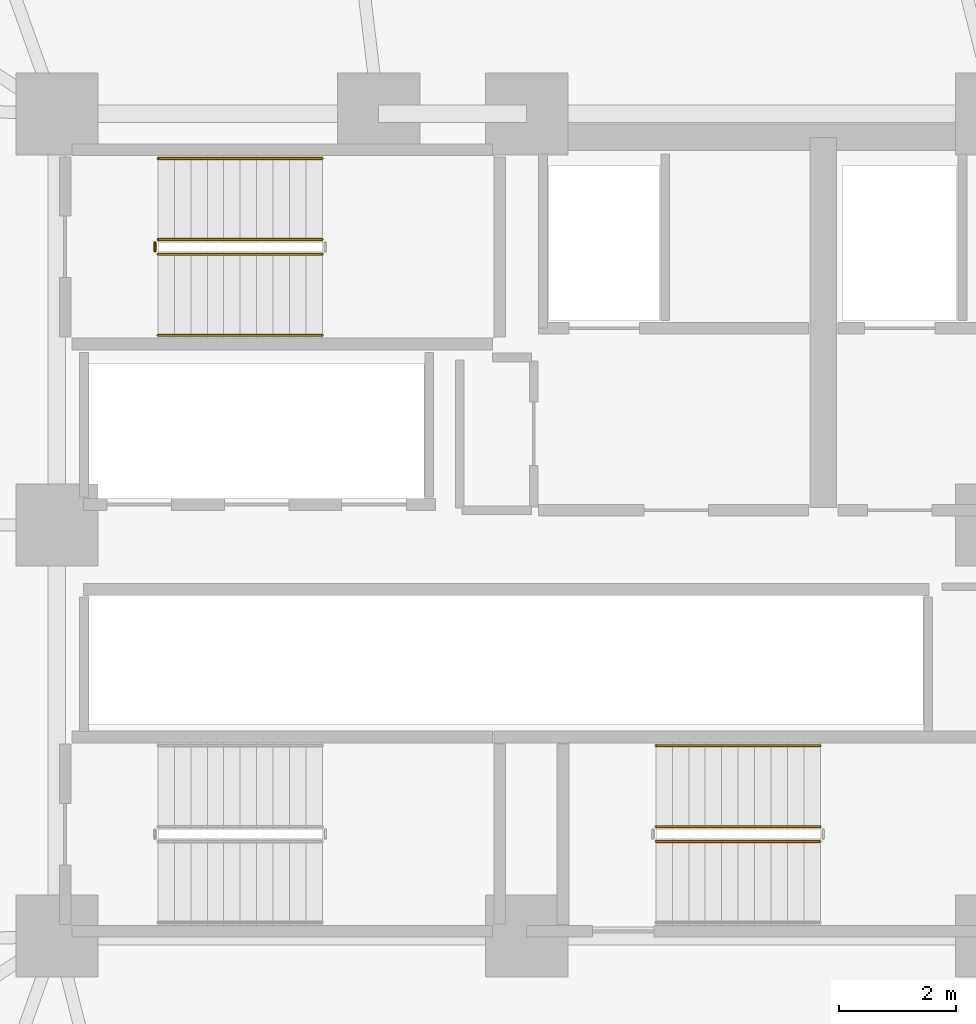
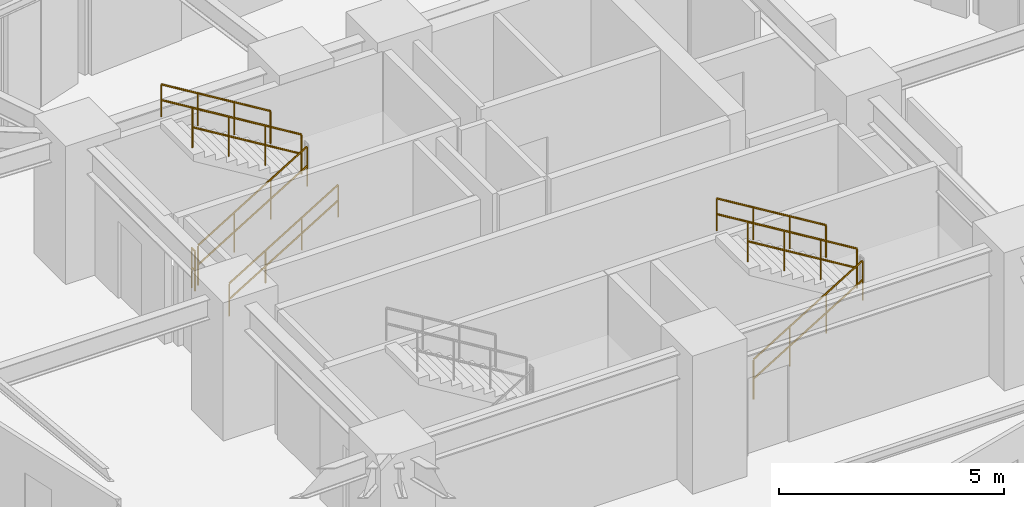
# One storey, part 31 of 33: 8 railings.
"""IFC4 building model written with IfcOpenShell, lengths in metres."""

from ifc_helpers import new_model, si_unit, direction, frame, origin, place, context, subcontext, project, spatial, polyline, outline, extrude, material, type_object, element, save


model = new_model("IFC4")

# Units and contexts
model_context = context("Model", 3, precision=1e-05, world=origin(), true_north=direction((0.0, 1.0)))
body_context = subcontext(model_context, "Body", "Model", "MODEL_VIEW")
ifc_project = project(units=[si_unit("LENGTHUNIT", "METRE"), si_unit("AREAUNIT", "SQUARE_METRE"), si_unit("VOLUMEUNIT", "CUBIC_METRE"), si_unit("PLANEANGLEUNIT", "RADIAN"), si_unit("MASSUNIT", "GRAM", prefix="KILO")], contexts=[model_context])

# Site, building, storey
site_placement = place(None, origin())
site = spatial("IfcSite", under=ifc_project, at=site_placement, CompositionType="ELEMENT")
building_placement = place(site_placement, origin())
building = spatial("IfcBuilding", under=site, at=building_placement, Name="Kelanora Arch Commons", CompositionType="ELEMENT")
storey_placement = place(building_placement, frame((0.0, 0.0, 83.85009765625)))
storey = spatial("IfcBuildingStorey", under=building, at=storey_placement, Name="L21", CompositionType="ELEMENT", Elevation=83.85009765625)

# Railings
ifc_material_1 = material(Name="Painted steel stair well guard", Category="steel")
railing_type_1 = type_object("IfcRailingType", Name="RAIL-STAIR-GRD", PredefinedType="GUARDRAIL", material=ifc_material_1)
railing_1_placement = place(storey_placement, frame((67.719970703125, 62.610107421875, 0.17041015625)))
element("IfcRailing", 1, at=railing_1_placement, inside=storey, type_object=railing_type_1, Name="L21 ST-T1 stair guard 1", PredefinedType="GUARDRAIL", context=body_context, shape_type="SweptSolid", body=[
    extrude(outline(polyline([(0.02392578125, 0.0), (0.011962890625, 0.020751953125), (-0.011962890625, 0.020751953125), (-0.02392578125, 0.0), (-0.011962890625, -0.020751953125), (0.011962890625, -0.020751953125), (0.02392578125, 0.0)])), frame((0.0, 0.0, 1.076171875), z_axis=(0.854169791009, 0.0, 0.51999420009), x_axis=(0.0, 1.0, 0.0)), (0.0, 0.0, 1.0), 3.278076171875),
    extrude(outline(polyline([(0.02392578125, 0.0), (0.011962890625, 0.020751953125), (-0.011962890625, 0.020751953125), (-0.02392578125, 0.0), (-0.011962890625, -0.020751953125), (0.011962890625, -0.020751953125), (0.02392578125, 0.0)])), frame((0.0, 0.0, 0.550048828125), z_axis=(0.854169791009, 0.0, 0.51999420009), x_axis=(0.0, 1.0, 0.0)), (0.0, 0.0, 1.0), 3.278076171875),
    extrude(outline(polyline([(0.02099609375, 0.0), (0.010498046875, 0.01806640625), (-0.010498046875, 0.01806640625), (-0.02099609375, 0.0), (-0.010498046875, -0.01806640625), (0.010498046875, -0.01806640625), (0.02099609375, 0.0)])), origin(), (0.0, 0.0, 1.0), 1.052001953125),
    extrude(outline(polyline([(0.02099609375, 0.0), (0.010498046875, 0.01806640625), (-0.010498046875, 0.01806640625), (-0.02099609375, 0.0), (-0.010498046875, -0.01806640625), (0.010498046875, -0.01806640625), (0.02099609375, 0.0)])), frame((0.933349609375, 0.0, 0.568115234375)), (0.0, 0.0, 1.0), 1.052001953125),
    extrude(outline(polyline([(0.02099609375, 0.0), (0.010498046875, 0.01806640625), (-0.010498046875, 0.01806640625), (-0.02099609375, 0.0), (-0.010498046875, -0.01806640625), (0.010498046875, -0.01806640625), (0.02099609375, 0.0)])), frame((1.86669921875, 0.0, 1.136474609375)), (0.0, 0.0, 1.0), 1.052001953125),
    extrude(outline(polyline([(0.02099609375, 0.0), (0.010498046875, 0.01806640625), (-0.010498046875, 0.01806640625), (-0.02099609375, 0.0), (-0.010498046875, -0.01806640625), (0.010498046875, -0.01806640625), (0.02099609375, 0.0)])), frame((2.800048828125, 0.0, 1.70458984375)), (0.0, 0.0, 1.0), 1.052001953125),
])
railing_2_placement = place(storey_placement, frame((70.52001953125, 62.860107421875, 2.04541015625)))
element("IfcRailing", 2, at=railing_2_placement, inside=storey, type_object=railing_type_1, Name="L21 ST-T1 stair guard 3", PredefinedType="GUARDRAIL", context=body_context, shape_type="SweptSolid", body=[
    extrude(outline(polyline([(0.02392578125, 0.0), (0.011962890625, 0.020751953125), (-0.011962890625, 0.020751953125), (-0.02392578125, 0.0), (-0.011962890625, -0.020751953125), (0.011962890625, -0.020751953125), (0.02392578125, 0.0)])), frame((0.0, 0.0, 1.076171875), z_axis=(-0.854169791009, 0.0, 0.51999420009), x_axis=(0.0, -1.0, 0.0)), (0.0, 0.0, 1.0), 3.278076171875),
    extrude(outline(polyline([(0.02392578125, 0.0), (0.011962890625, 0.020751953125), (-0.011962890625, 0.020751953125), (-0.02392578125, 0.0), (-0.011962890625, -0.020751953125), (0.011962890625, -0.020751953125), (0.02392578125, 0.0)])), frame((0.0, 0.0, 0.550048828125), z_axis=(-0.854169791009, 0.0, 0.51999420009), x_axis=(0.0, -1.0, 0.0)), (0.0, 0.0, 1.0), 3.278076171875),
    extrude(outline(polyline([(0.02099609375, 0.0), (0.010498046875, 0.01806640625), (-0.010498046875, 0.01806640625), (-0.02099609375, 0.0), (-0.010498046875, -0.01806640625), (0.010498046875, -0.01806640625), (0.02099609375, 0.0)])), origin(), (0.0, 0.0, 1.0), 1.052001953125),
    extrude(outline(polyline([(0.02099609375, 0.0), (0.010498046875, 0.01806640625), (-0.010498046875, 0.01806640625), (-0.02099609375, 0.0), (-0.010498046875, -0.01806640625), (0.010498046875, -0.01806640625), (0.02099609375, 0.0)])), frame((-0.933349609375, 0.0, 0.568115234375)), (0.0, 0.0, 1.0), 1.052001953125),
    extrude(outline(polyline([(0.02099609375, 0.0), (0.010498046875, 0.01806640625), (-0.010498046875, 0.01806640625), (-0.02099609375, 0.0), (-0.010498046875, -0.01806640625), (0.010498046875, -0.01806640625), (0.02099609375, 0.0)])), frame((-1.86669921875, 0.0, 1.136474609375)), (0.0, 0.0, 1.0), 1.052001953125),
    extrude(outline(polyline([(0.02099609375, 0.0), (0.010498046875, 0.01806640625), (-0.010498046875, 0.01806640625), (-0.02099609375, 0.0), (-0.010498046875, -0.01806640625), (0.010498046875, -0.01806640625), (0.02099609375, 0.0)])), frame((-2.800048828125, 0.0, 1.70458984375)), (0.0, 0.0, 1.0), 1.052001953125),
])
railing_3_placement = place(storey_placement, frame((67.669921875, 62.659912109375, 0.0)))
element("IfcRailing", 3, at=railing_3_placement, inside=storey, type_object=railing_type_1, Name="L21 ST-T1 stair guard 4", PredefinedType="GUARDRAIL", context=body_context, shape_type="SweptSolid", body=[
    extrude(outline(polyline([(0.02392578125, 0.0), (0.011962890625, 0.020751953125), (-0.011962890625, 0.020751953125), (-0.02392578125, 0.0), (-0.011962890625, -0.020751953125), (0.011962890625, -0.020751953125), (0.02392578125, 0.0)])), frame((0.0, 0.0, 1.076171875), z_axis=(0.0, 1.0, 0.0), x_axis=(-1.0, 0.0, 0.0)), (0.0, 0.0, 1.0), 0.150146484375),
    extrude(outline(polyline([(0.02392578125, 0.0), (0.011962890625, 0.020751953125), (-0.011962890625, 0.020751953125), (-0.02392578125, 0.0), (-0.011962890625, -0.020751953125), (0.011962890625, -0.020751953125), (0.02392578125, 0.0)])), frame((0.0, 0.0, 0.550048828125), z_axis=(0.0, 1.0, 0.0), x_axis=(-1.0, 0.0, 0.0)), (0.0, 0.0, 1.0), 0.150146484375),
    extrude(outline(polyline([(0.02099609375, 0.0), (0.010498046875, 0.01806640625), (-0.010498046875, 0.01806640625), (-0.02099609375, 0.0), (-0.010498046875, -0.01806640625), (0.010498046875, -0.01806640625), (0.02099609375, 0.0)])), origin(), (0.0, 0.0, 1.0), 1.052001953125),
    extrude(outline(polyline([(0.02099609375, 0.0), (0.010498046875, 0.01806640625), (-0.010498046875, 0.01806640625), (-0.02099609375, 0.0), (-0.010498046875, -0.01806640625), (0.010498046875, -0.01806640625), (0.02099609375, 0.0)])), frame((0.0, 0.150146484375, 0.0)), (0.0, 0.0, 1.0), 1.052001953125),
])
railing_4_placement = place(storey_placement, frame((76.199951171875, 52.610107421875, 0.17041015625)))
element("IfcRailing", 4, at=railing_4_placement, inside=storey, type_object=railing_type_1, Name="L21 ST-T2 stair guard 1", PredefinedType="GUARDRAIL", context=body_context, shape_type="SweptSolid", body=[
    extrude(outline(polyline([(0.02392578125, 0.0), (0.011962890625, 0.020751953125), (-0.011962890625, 0.020751953125), (-0.02392578125, 0.0), (-0.011962890625, -0.020751953125), (0.011962890625, -0.020751953125), (0.02392578125, 0.0)])), frame((0.0, 0.0, 1.076171875), z_axis=(0.854169791009, 0.0, 0.51999420009), x_axis=(0.0, 1.0, 0.0)), (0.0, 0.0, 1.0), 3.278076171875),
    extrude(outline(polyline([(0.02392578125, 0.0), (0.011962890625, 0.020751953125), (-0.011962890625, 0.020751953125), (-0.02392578125, 0.0), (-0.011962890625, -0.020751953125), (0.011962890625, -0.020751953125), (0.02392578125, 0.0)])), frame((0.0, 0.0, 0.550048828125), z_axis=(0.854169791009, 0.0, 0.51999420009), x_axis=(0.0, 1.0, 0.0)), (0.0, 0.0, 1.0), 3.278076171875),
    extrude(outline(polyline([(0.02099609375, 0.0), (0.010498046875, 0.01806640625), (-0.010498046875, 0.01806640625), (-0.02099609375, 0.0), (-0.010498046875, -0.01806640625), (0.010498046875, -0.01806640625), (0.02099609375, 0.0)])), origin(), (0.0, 0.0, 1.0), 1.052001953125),
    extrude(outline(polyline([(0.02099609375, 0.0), (0.010498046875, 0.01806640625), (-0.010498046875, 0.01806640625), (-0.02099609375, 0.0), (-0.010498046875, -0.01806640625), (0.010498046875, -0.01806640625), (0.02099609375, 0.0)])), frame((0.933349609375, 0.0, 0.568115234375)), (0.0, 0.0, 1.0), 1.052001953125),
    extrude(outline(polyline([(0.02099609375, 0.0), (0.010498046875, 0.01806640625), (-0.010498046875, 0.01806640625), (-0.02099609375, 0.0), (-0.010498046875, -0.01806640625), (0.010498046875, -0.01806640625), (0.02099609375, 0.0)])), frame((1.86669921875, 0.0, 1.136474609375)), (0.0, 0.0, 1.0), 1.052001953125),
    extrude(outline(polyline([(0.02099609375, 0.0), (0.010498046875, 0.01806640625), (-0.010498046875, 0.01806640625), (-0.02099609375, 0.0), (-0.010498046875, -0.01806640625), (0.010498046875, -0.01806640625), (0.02099609375, 0.0)])), frame((2.800048828125, 0.0, 1.70458984375)), (0.0, 0.0, 1.0), 1.052001953125),
])
railing_5_placement = place(storey_placement, frame((79.0, 52.860107421875, 2.04541015625)))
element("IfcRailing", 5, at=railing_5_placement, inside=storey, type_object=railing_type_1, Name="L21 ST-T2 stair guard 3", PredefinedType="GUARDRAIL", context=body_context, shape_type="SweptSolid", body=[
    extrude(outline(polyline([(0.02392578125, 0.0), (0.011962890625, 0.020751953125), (-0.011962890625, 0.020751953125), (-0.02392578125, 0.0), (-0.011962890625, -0.020751953125), (0.011962890625, -0.020751953125), (0.02392578125, 0.0)])), frame((0.0, 0.0, 1.076171875), z_axis=(-0.854169791009, 0.0, 0.51999420009), x_axis=(0.0, -1.0, 0.0)), (0.0, 0.0, 1.0), 3.278076171875),
    extrude(outline(polyline([(0.02392578125, 0.0), (0.011962890625, 0.020751953125), (-0.011962890625, 0.020751953125), (-0.02392578125, 0.0), (-0.011962890625, -0.020751953125), (0.011962890625, -0.020751953125), (0.02392578125, 0.0)])), frame((0.0, 0.0, 0.550048828125), z_axis=(-0.854169791009, 0.0, 0.51999420009), x_axis=(0.0, -1.0, 0.0)), (0.0, 0.0, 1.0), 3.278076171875),
    extrude(outline(polyline([(0.02099609375, 0.0), (0.010498046875, 0.01806640625), (-0.010498046875, 0.01806640625), (-0.02099609375, 0.0), (-0.010498046875, -0.01806640625), (0.010498046875, -0.01806640625), (0.02099609375, 0.0)])), origin(), (0.0, 0.0, 1.0), 1.052001953125),
    extrude(outline(polyline([(0.02099609375, 0.0), (0.010498046875, 0.01806640625), (-0.010498046875, 0.01806640625), (-0.02099609375, 0.0), (-0.010498046875, -0.01806640625), (0.010498046875, -0.01806640625), (0.02099609375, 0.0)])), frame((-0.933349609375, 0.0, 0.568115234375)), (0.0, 0.0, 1.0), 1.052001953125),
    extrude(outline(polyline([(0.02099609375, 0.0), (0.010498046875, 0.01806640625), (-0.010498046875, 0.01806640625), (-0.02099609375, 0.0), (-0.010498046875, -0.01806640625), (0.010498046875, -0.01806640625), (0.02099609375, 0.0)])), frame((-1.86669921875, 0.0, 1.136474609375)), (0.0, 0.0, 1.0), 1.052001953125),
    extrude(outline(polyline([(0.02099609375, 0.0), (0.010498046875, 0.01806640625), (-0.010498046875, 0.01806640625), (-0.02099609375, 0.0), (-0.010498046875, -0.01806640625), (0.010498046875, -0.01806640625), (0.02099609375, 0.0)])), frame((-2.800048828125, 0.0, 1.70458984375)), (0.0, 0.0, 1.0), 1.052001953125),
])
ifc_material_2 = material(Name="Brushed stainless steel stair handrail", Category="steel")
railing_type_2 = type_object("IfcRailingType", Name="RAIL-STAIR-HND", PredefinedType="HANDRAIL", material=ifc_material_2)
railing_6_placement = place(storey_placement, frame((67.719970703125, 61.22998046875, 0.17041015625)))
element("IfcRailing", 6, at=railing_6_placement, inside=storey, type_object=railing_type_2, Name="L21 ST-T1 stair handrail 1", PredefinedType="HANDRAIL", context=body_context, shape_type="SweptSolid", body=[
    extrude(outline(polyline([(0.02392578125, 0.0), (0.011962890625, 0.020751953125), (-0.011962890625, 0.020751953125), (-0.02392578125, 0.0), (-0.011962890625, -0.020751953125), (0.011962890625, -0.020751953125), (0.02392578125, 0.0)])), frame((0.0, 0.0, 0.8759765625), z_axis=(0.854169791009, 0.0, 0.51999420009), x_axis=(0.0, 1.0, 0.0)), (0.0, 0.0, 1.0), 3.278076171875),
    extrude(outline(polyline([(0.02392578125, 0.0), (0.011962890625, 0.020751953125), (-0.011962890625, 0.020751953125), (-0.02392578125, 0.0), (-0.011962890625, -0.020751953125), (0.011962890625, -0.020751953125), (0.02392578125, 0.0)])), frame((0.0, 0.0, 0.449951171875), z_axis=(0.854169791009, 0.0, 0.51999420009), x_axis=(0.0, 1.0, 0.0)), (0.0, 0.0, 1.0), 3.278076171875),
    extrude(outline(polyline([(0.02099609375, 0.0), (0.010498046875, 0.01806640625), (-0.010498046875, 0.01806640625), (-0.02099609375, 0.0), (-0.010498046875, -0.01806640625), (0.010498046875, -0.01806640625), (0.02099609375, 0.0)])), origin(), (0.0, 0.0, 1.0), 0.851806640625),
    extrude(outline(polyline([(0.02099609375, 0.0), (0.010498046875, 0.01806640625), (-0.010498046875, 0.01806640625), (-0.02099609375, 0.0), (-0.010498046875, -0.01806640625), (0.010498046875, -0.01806640625), (0.02099609375, 0.0)])), frame((0.933349609375, 0.0, 0.568115234375)), (0.0, 0.0, 1.0), 0.851806640625),
    extrude(outline(polyline([(0.02099609375, 0.0), (0.010498046875, 0.01806640625), (-0.010498046875, 0.01806640625), (-0.02099609375, 0.0), (-0.010498046875, -0.01806640625), (0.010498046875, -0.01806640625), (0.02099609375, 0.0)])), frame((1.86669921875, 0.0, 1.136474609375)), (0.0, 0.0, 1.0), 0.851806640625),
    extrude(outline(polyline([(0.02099609375, 0.0), (0.010498046875, 0.01806640625), (-0.010498046875, 0.01806640625), (-0.02099609375, 0.0), (-0.010498046875, -0.01806640625), (0.010498046875, -0.01806640625), (0.02099609375, 0.0)])), frame((2.800048828125, 0.0, 1.70458984375)), (0.0, 0.0, 1.0), 0.851806640625),
])
railing_7_placement = place(storey_placement, frame((70.52001953125, 64.239990234375, 2.04541015625)))
element("IfcRailing", 7, at=railing_7_placement, inside=storey, type_object=railing_type_2, Name="L21 ST-T1 stair handrail 2", PredefinedType="HANDRAIL", context=body_context, shape_type="SweptSolid", body=[
    extrude(outline(polyline([(0.02392578125, 0.0), (0.011962890625, 0.020751953125), (-0.011962890625, 0.020751953125), (-0.02392578125, 0.0), (-0.011962890625, -0.020751953125), (0.011962890625, -0.020751953125), (0.02392578125, 0.0)])), frame((0.0, 0.0, 0.8759765625), z_axis=(-0.854169791009, 0.0, 0.51999420009), x_axis=(0.0, -1.0, 0.0)), (0.0, 0.0, 1.0), 3.278076171875),
    extrude(outline(polyline([(0.02392578125, 0.0), (0.011962890625, 0.020751953125), (-0.011962890625, 0.020751953125), (-0.02392578125, 0.0), (-0.011962890625, -0.020751953125), (0.011962890625, -0.020751953125), (0.02392578125, 0.0)])), frame((0.0, 0.0, 0.449951171875), z_axis=(-0.854169791009, 0.0, 0.51999420009), x_axis=(0.0, -1.0, 0.0)), (0.0, 0.0, 1.0), 3.278076171875),
    extrude(outline(polyline([(0.02099609375, 0.0), (0.010498046875, 0.01806640625), (-0.010498046875, 0.01806640625), (-0.02099609375, 0.0), (-0.010498046875, -0.01806640625), (0.010498046875, -0.01806640625), (0.02099609375, 0.0)])), origin(), (0.0, 0.0, 1.0), 0.851806640625),
    extrude(outline(polyline([(0.02099609375, 0.0), (0.010498046875, 0.01806640625), (-0.010498046875, 0.01806640625), (-0.02099609375, 0.0), (-0.010498046875, -0.01806640625), (0.010498046875, -0.01806640625), (0.02099609375, 0.0)])), frame((-0.933349609375, 0.0, 0.568115234375)), (0.0, 0.0, 1.0), 0.851806640625),
    extrude(outline(polyline([(0.02099609375, 0.0), (0.010498046875, 0.01806640625), (-0.010498046875, 0.01806640625), (-0.02099609375, 0.0), (-0.010498046875, -0.01806640625), (0.010498046875, -0.01806640625), (0.02099609375, 0.0)])), frame((-1.86669921875, 0.0, 1.136474609375)), (0.0, 0.0, 1.0), 0.851806640625),
    extrude(outline(polyline([(0.02099609375, 0.0), (0.010498046875, 0.01806640625), (-0.010498046875, 0.01806640625), (-0.02099609375, 0.0), (-0.010498046875, -0.01806640625), (0.010498046875, -0.01806640625), (0.02099609375, 0.0)])), frame((-2.800048828125, 0.0, 1.70458984375)), (0.0, 0.0, 1.0), 0.851806640625),
])
railing_8_placement = place(storey_placement, frame((79.0, 54.239990234375, 2.04541015625)))
element("IfcRailing", 8, at=railing_8_placement, inside=storey, type_object=railing_type_2, Name="L21 ST-T2 stair handrail 2", PredefinedType="HANDRAIL", context=body_context, shape_type="SweptSolid", body=[
    extrude(outline(polyline([(0.02392578125, 0.0), (0.011962890625, 0.020751953125), (-0.011962890625, 0.020751953125), (-0.02392578125, 0.0), (-0.011962890625, -0.020751953125), (0.011962890625, -0.020751953125), (0.02392578125, 0.0)])), frame((0.0, 0.0, 0.8759765625), z_axis=(-0.854169791009, 0.0, 0.51999420009), x_axis=(0.0, -1.0, 0.0)), (0.0, 0.0, 1.0), 3.278076171875),
    extrude(outline(polyline([(0.02392578125, 0.0), (0.011962890625, 0.020751953125), (-0.011962890625, 0.020751953125), (-0.02392578125, 0.0), (-0.011962890625, -0.020751953125), (0.011962890625, -0.020751953125), (0.02392578125, 0.0)])), frame((0.0, 0.0, 0.449951171875), z_axis=(-0.854169791009, 0.0, 0.51999420009), x_axis=(0.0, -1.0, 0.0)), (0.0, 0.0, 1.0), 3.278076171875),
    extrude(outline(polyline([(0.02099609375, 0.0), (0.010498046875, 0.01806640625), (-0.010498046875, 0.01806640625), (-0.02099609375, 0.0), (-0.010498046875, -0.01806640625), (0.010498046875, -0.01806640625), (0.02099609375, 0.0)])), origin(), (0.0, 0.0, 1.0), 0.851806640625),
    extrude(outline(polyline([(0.02099609375, 0.0), (0.010498046875, 0.01806640625), (-0.010498046875, 0.01806640625), (-0.02099609375, 0.0), (-0.010498046875, -0.01806640625), (0.010498046875, -0.01806640625), (0.02099609375, 0.0)])), frame((-0.933349609375, 0.0, 0.568115234375)), (0.0, 0.0, 1.0), 0.851806640625),
    extrude(outline(polyline([(0.02099609375, 0.0), (0.010498046875, 0.01806640625), (-0.010498046875, 0.01806640625), (-0.02099609375, 0.0), (-0.010498046875, -0.01806640625), (0.010498046875, -0.01806640625), (0.02099609375, 0.0)])), frame((-1.86669921875, 0.0, 1.136474609375)), (0.0, 0.0, 1.0), 0.851806640625),
    extrude(outline(polyline([(0.02099609375, 0.0), (0.010498046875, 0.01806640625), (-0.010498046875, 0.01806640625), (-0.02099609375, 0.0), (-0.010498046875, -0.01806640625), (0.010498046875, -0.01806640625), (0.02099609375, 0.0)])), frame((-2.800048828125, 0.0, 1.70458984375)), (0.0, 0.0, 1.0), 0.851806640625),
])

save(model, "model.ifc")
